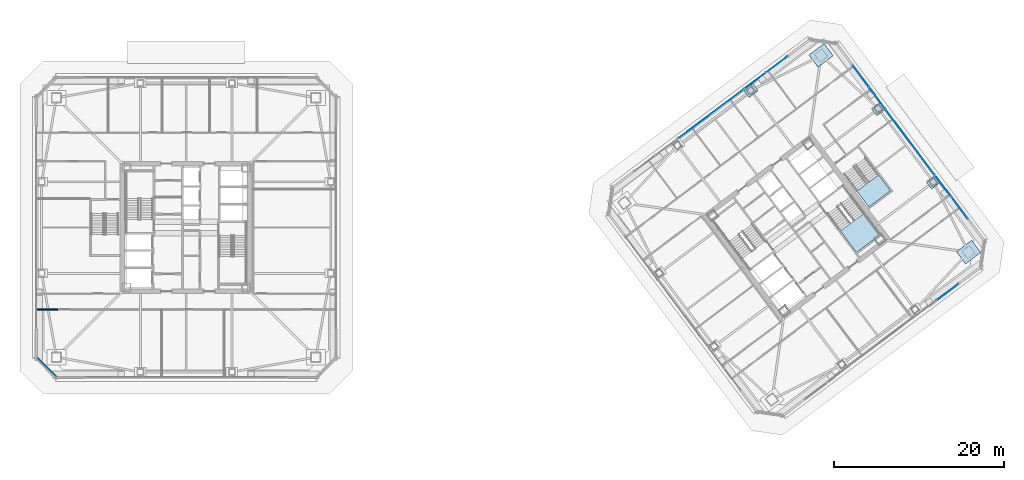
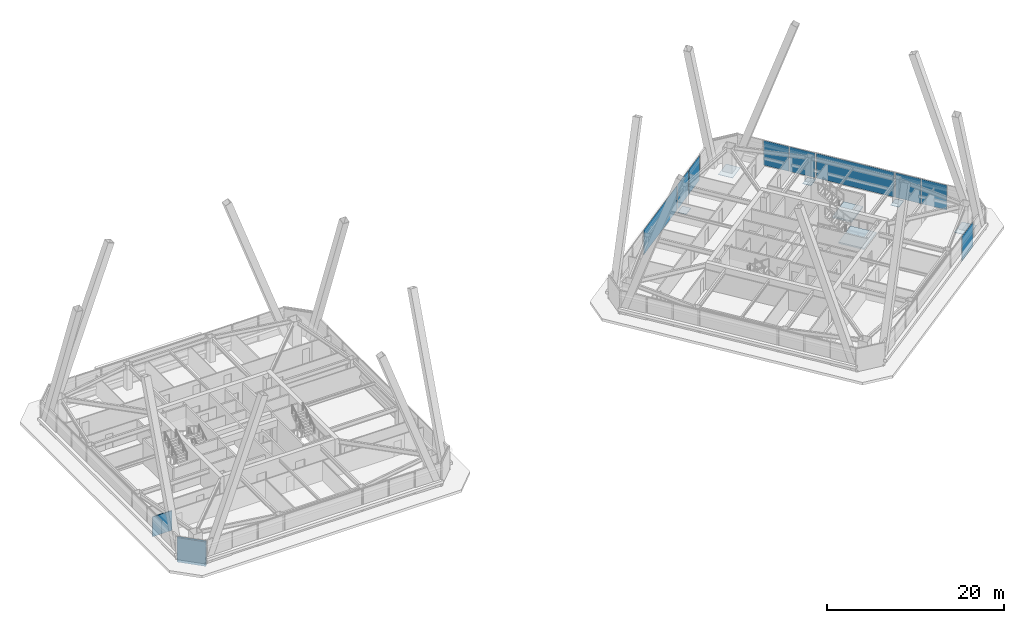
# One storey, part 54 of 65: 14 plates, 2 slabs, 2 walls, 8 elements without a shape of their own.
"""IFC4 building model written with IfcOpenShell, lengths in metres."""

from ifc_helpers import new_model, si_unit, direction, frame, frame_2d, origin, origin_2d, place, context, subcontext, project, spatial, polyline, rectangle, outline, extrude, material, layer, layer_set, type_object, element, aggregate, save


model = new_model("IFC4")

# Units and contexts
model_context = context("Model", 3, precision=1e-05, world=origin(), true_north=direction((0.0, 1.0)))
body_context = subcontext(model_context, "Body", "Model", "MODEL_VIEW")
ifc_project = project(units=[si_unit("LENGTHUNIT", "METRE"), si_unit("AREAUNIT", "SQUARE_METRE"), si_unit("VOLUMEUNIT", "CUBIC_METRE"), si_unit("PLANEANGLEUNIT", "RADIAN"), si_unit("MASSUNIT", "GRAM", prefix="KILO")], contexts=[model_context])

# Site, building, storey
site_placement = place(None, origin())
site = spatial("IfcSite", under=ifc_project, at=site_placement, CompositionType="ELEMENT")
building_placement = place(site_placement, origin())
building = spatial("IfcBuilding", under=site, at=building_placement, Name="Tashvorn Skyway Center", CompositionType="ELEMENT")
storey_placement = place(building_placement, frame((0.0, 0.0, 157.0)))
storey = spatial("IfcBuildingStorey", under=building, at=storey_placement, Name="L42", CompositionType="ELEMENT", Elevation=157.0)

# Curtain wall, plate
ifc_material_1 = material(Name="Thermally broken bronze-anodized aluminium 6063-T6", Category="aluminium")
curtain_wall_type = type_object("IfcCurtainWallType", Name="CW-CW-Z4", PredefinedType="NOTDEFINED", material=ifc_material_1)
curtain_wall_1_placement = place(storey_placement, origin())
curtain_wall_1 = element("IfcCurtainWall", 1, at=curtain_wall_1_placement, inside=storey, type_object=curtain_wall_type, Name="Tower 2 L42 South Unitised Curtain Wall Glazing Group 1", PredefinedType="NOTDEFINED")
ifc_material_2 = material(Name="Low-E solar-control double insulating safety glass", Category="glass")
ifc_layer_1 = layer(ifc_material_2, 0.035888671875)
ifc_layer_set_1 = layer_set([ifc_layer_1], Name="Low-E solar-control double insulating safety glass")
plate_type_1 = type_object("IfcPlateType", Name="CWP-CW-Z4", PredefinedType="CURTAIN_PANEL", material=ifc_layer_set_1)
plate_1_placement = place(storey_placement, frame((131.830078125, 24.3974609375, 0.06982421875), z_axis=(0.0, 0.0, 1.0), x_axis=(-0.799999999998, -0.600000000002, 0.0)))
plate_1 = element("IfcPlate", 2, at=plate_1_placement, type_object=plate_type_1, Name="CW-Z4 panel 1.1", PredefinedType="CURTAIN_PANEL", context=body_context, shape_type="SweptSolid", body=[
    extrude(rectangle(XDim=3.135009765625, YDim=0.035888671875, at=origin_2d()), origin(), (0.0, 0.0, 1.0), 3.409912109375),
])
aggregate(curtain_wall_1, [plate_1])

curtain_wall_2_placement = place(storey_placement, origin())
curtain_wall_2 = element("IfcCurtainWall", 3, at=curtain_wall_2_placement, inside=storey, type_object=curtain_wall_type, Name="Tower 2 L42 North Unitised Curtain Wall Glazing Group 2", PredefinedType="NOTDEFINED")
plate_2_placement = place(storey_placement, frame((103.931884765625, 45.424072265625, 0.06982421875), z_axis=(0.0, 0.0, 1.0), x_axis=(0.799999999998, 0.600000000002, 0.0)))
plate_2 = element("IfcPlate", 4, at=plate_2_placement, type_object=plate_type_1, Name="CW-Z4 panel 1.1", PredefinedType="CURTAIN_PANEL", context=body_context, shape_type="SweptSolid", body=[
    extrude(rectangle(XDim=9.580078125, YDim=0.035888671875, at=origin_2d()), origin(), (0.0, 0.0, 1.0), 3.409912109375),
])
aggregate(curtain_wall_2, [plate_2])

# Curtain wall, plates
curtain_wall_3_placement = place(storey_placement, origin())
curtain_wall_3 = element("IfcCurtainWall", 5, at=curtain_wall_3_placement, inside=storey, type_object=curtain_wall_type, Name="Tower 2 L42 North Unitised Curtain Wall Glazing Group 3", PredefinedType="NOTDEFINED")
plate_3_placement = place(storey_placement, frame((109.1298828125, 49.322509765625, 0.06982421875), z_axis=(0.0, 0.0, 1.0), x_axis=(0.799999999998, 0.600000000002, 0.0)))
plate_3 = element("IfcPlate", 6, at=plate_3_placement, type_object=plate_type_1, Name="CW-Z4 panel 1.1", PredefinedType="CURTAIN_PANEL", context=body_context, shape_type="SweptSolid", body=[
    extrude(rectangle(XDim=3.135009765625, YDim=0.035888671875, at=origin_2d()), origin(), (0.0, 0.0, 1.0), 3.409912109375),
])
plate_4_placement = place(storey_placement, frame((111.694091796875, 51.24560546875, 0.06982421875), z_axis=(0.0, 0.0, 1.0), x_axis=(0.799999999998, 0.600000000002, 0.0)))
plate_4 = element("IfcPlate", 7, at=plate_4_placement, type_object=plate_type_1, Name="CW-Z4 panel 2.1", PredefinedType="CURTAIN_PANEL", context=body_context, shape_type="SweptSolid", body=[
    extrude(rectangle(XDim=3.135009765625, YDim=0.035888671875, at=origin_2d()), origin(), (0.0, 0.0, 1.0), 3.409912109375),
])
aggregate(curtain_wall_3, [plate_3, plate_4])

curtain_wall_4_placement = place(storey_placement, origin())
curtain_wall_4 = element("IfcCurtainWall", 8, at=curtain_wall_4_placement, inside=storey, type_object=curtain_wall_type, Name="Tower 2 L42 East Unitised Curtain Wall Glazing Group 1", PredefinedType="NOTDEFINED")
plate_5_placement = place(storey_placement, frame((121.6025390625, 49.830078125, 0.06982421875), z_axis=(0.0, 0.0, 1.0), x_axis=(0.600000000002, -0.799999999998, 0.0)))
plate_5 = element("IfcPlate", 9, at=plate_5_placement, type_object=plate_type_1, Name="CW-Z4 panel 1.1", PredefinedType="CURTAIN_PANEL", context=body_context, shape_type="SweptSolid", body=[
    extrude(rectangle(XDim=3.135009765625, YDim=0.035888671875, at=origin_2d()), origin(), (0.0, 0.0, 1.0), 3.409912109375),
])
plate_6_placement = place(storey_placement, frame((123.525390625, 47.26611328125, 0.06982421875), z_axis=(0.0, 0.0, 1.0), x_axis=(0.600000000002, -0.799999999998, 0.0)))
plate_6 = element("IfcPlate", 10, at=plate_6_placement, type_object=plate_type_1, Name="CW-Z4 panel 2.1", PredefinedType="CURTAIN_PANEL", context=body_context, shape_type="SweptSolid", body=[
    extrude(rectangle(XDim=3.135009765625, YDim=0.035888671875, at=origin_2d()), origin(), (0.0, 0.0, 1.0), 3.409912109375),
])
aggregate(curtain_wall_4, [plate_5, plate_6])

# Curtain wall, plate
curtain_wall_5_placement = place(storey_placement, origin())
curtain_wall_5 = element("IfcCurtainWall", 11, at=curtain_wall_5_placement, inside=storey, type_object=curtain_wall_type, Name="Tower 2 L42 East Unitised Curtain Wall Glazing Group 2", PredefinedType="NOTDEFINED")
plate_7_placement = place(storey_placement, frame((127.424072265625, 42.068115234375, 0.06982421875), z_axis=(0.0, 0.0, 1.0), x_axis=(0.600000000002, -0.799999999998, 0.0)))
plate_7 = element("IfcPlate", 12, at=plate_7_placement, type_object=plate_type_1, Name="CW-Z4 panel 1.1", PredefinedType="CURTAIN_PANEL", context=body_context, shape_type="SweptSolid", body=[
    extrude(rectangle(XDim=9.580078125, YDim=0.035888671875, at=origin_2d()), origin(), (0.0, 0.0, 1.0), 3.409912109375),
])
aggregate(curtain_wall_5, [plate_7])

# Curtain wall, plates
curtain_wall_6_placement = place(storey_placement, origin())
curtain_wall_6 = element("IfcCurtainWall", 13, at=curtain_wall_6_placement, inside=storey, type_object=curtain_wall_type, Name="Tower 2 L42 East Unitised Curtain Wall Glazing Group 3", PredefinedType="NOTDEFINED")
plate_8_placement = place(storey_placement, frame((131.322509765625, 36.8701171875, 0.06982421875), z_axis=(0.0, 0.0, 1.0), x_axis=(0.600000000002, -0.799999999998, 0.0)))
plate_8 = element("IfcPlate", 14, at=plate_8_placement, type_object=plate_type_1, Name="CW-Z4 panel 1.1", PredefinedType="CURTAIN_PANEL", context=body_context, shape_type="SweptSolid", body=[
    extrude(rectangle(XDim=3.135009765625, YDim=0.035888671875, at=origin_2d()), origin(), (0.0, 0.0, 1.0), 3.409912109375),
])
plate_9_placement = place(storey_placement, frame((133.24560546875, 34.305908203125, 0.06982421875), z_axis=(0.0, 0.0, 1.0), x_axis=(0.600000000002, -0.799999999998, 0.0)))
plate_9 = element("IfcPlate", 15, at=plate_9_placement, type_object=plate_type_1, Name="CW-Z4 panel 2.1", PredefinedType="CURTAIN_PANEL", context=body_context, shape_type="SweptSolid", body=[
    extrude(rectangle(XDim=3.135009765625, YDim=0.035888671875, at=origin_2d()), origin(), (0.0, 0.0, 1.0), 3.409912109375),
])
aggregate(curtain_wall_6, [plate_8, plate_9])

# Plates
ifc_material_3 = material(Name="Steel ASTM A572 Grade 50", Category="steel")
ifc_layer_2 = layer(ifc_material_3, 0.050048828125)
ifc_layer_set_2 = layer_set([ifc_layer_2], Name="Steel ASTM A572 Grade 50")
plate_type_2 = type_object("IfcPlateType", Name="PLT-ENDCAP-1650", PredefinedType="USERDEFINED", material=ifc_layer_set_2)
for number, where, z_axis, x_axis, name in (
    (16, (134.300048828125, 29.10009765625, -0.21484375), (0.0, 0.0, 1.0), (0.799999996291, 0.600000004945, 0.0), "Tower 2 L42 MC-SE Setback Base End Plate"),
    (17, (116.89990234375, 52.300048828125, -0.21484375), (0.0, 0.0, 1.0), (0.799999996291, 0.600000004945, 0.0), "Tower 2 L42 MC-NE Setback Base End Plate"),
):
    element("IfcPlate", number, at=place(storey_placement, frame(where, z_axis=z_axis, x_axis=x_axis)), inside=storey, type_object=plate_type_2, Name=name, ObjectType="END PLATE", PredefinedType="USERDEFINED", context=body_context, shape_type="SweptSolid", body=[
        extrude(rectangle(XDim=2.25, YDim=1.780029296875, at=origin_2d()), origin(), (0.0, 0.0, 1.0), 0.050048828125),
    ])
ifc_layer_3 = layer(ifc_material_3, 0.050048828125)
ifc_layer_set_3 = layer_set([ifc_layer_3], Name="Steel ASTM A572 Grade 50")
plate_type_3 = type_object("IfcPlateType", Name="PLT-ENDCAP-900", PredefinedType="USERDEFINED", material=ifc_layer_set_3)
for number, where, z_axis, x_axis, name in (
    (18, (130.159912109375, 37.3701171875, -0.21484375), (0.0, 0.0, 1.0), (0.799999996291, 0.600000004945, 0.0), "Tower 2 L42 FC-E1 Setback Base End Plate"),
    (19, (123.679931640625, 46.010009765625, -0.21484375), (0.0, 0.0, 1.0), (0.799999996291, 0.600000004945, 0.0), "Tower 2 L42 FC-E2 Setback Base End Plate"),
    (20, (108.6298828125, 48.159912109375, -0.21484375), (0.0, 0.0, 1.0), (0.799999996291, 0.600000004945, 0.0), "Tower 2 L42 FC-N1 Setback Base End Plate"),
):
    element("IfcPlate", number, at=place(storey_placement, frame(where, z_axis=z_axis, x_axis=x_axis)), inside=storey, type_object=plate_type_3, Name=name, ObjectType="END PLATE", PredefinedType="USERDEFINED", context=body_context, shape_type="SweptSolid", body=[
        extrude(rectangle(XDim=1.35009765625, YDim=1.050048828125, at=origin_2d()), origin(), (0.0, 0.0, 1.0), 0.050048828125),
    ])

# Stair, slab
ifc_material_4 = material(Name="Concrete C40/50", Category="concrete")
stair_type = type_object("IfcStairType", Name="STAIR-CORE-1500", PredefinedType="HALF_TURN_STAIR", material=ifc_material_4)
stair_1_placement = place(storey_placement, origin())
stair_1 = element("IfcStair", 21, at=stair_1_placement, inside=storey, type_object=stair_type, Name="L42 Tower 2 Exit Stair 2", PredefinedType="HALF_TURN_STAIR")
ifc_layer_4 = layer(ifc_material_4, 0.199951171875)
ifc_layer_set_4 = layer_set([ifc_layer_4], Name="Concrete C40/50")
slab_type = type_object("IfcSlabType", Name="SLAB-LAND-200", PredefinedType="LANDING", material=ifc_layer_set_4)
slab_1_placement = place(storey_placement, frame((0.0, 0.0, 1.574951171875)))
slab_1 = element("IfcSlab", 22, at=slab_1_placement, type_object=slab_type, Name="ST-T2-2 landing 1", PredefinedType="LANDING", context=body_context, shape_type="SweptSolid", body=[
    extrude(outline(polyline([(119.17919921875, 31.594482421875), (121.080078125, 29.06005859375), (123.864013671875, 31.14794921875), (121.963134765625, 33.682373046875), (119.17919921875, 31.594482421875)])), origin(), (0.0, 0.0, 1.0), 0.199951171875),
])
aggregate(stair_1, [slab_1])

stair_2_placement = place(storey_placement, origin())
stair_2 = element("IfcStair", 23, at=stair_2_placement, inside=storey, type_object=stair_type, Name="L42 Tower 2 Exit Stair 3", PredefinedType="HALF_TURN_STAIR")
slab_2_placement = place(storey_placement, frame((0.0, 0.0, 1.574951171875)))
slab_2 = element("IfcSlab", 24, at=slab_2_placement, type_object=slab_type, Name="ST-T2-3 landing 1", PredefinedType="LANDING", context=body_context, shape_type="SweptSolid", body=[
    extrude(outline(polyline([(121.123291015625, 36.302490234375), (122.5439453125, 34.407958984375), (125.10400390625, 36.327880859375), (123.68310546875, 38.222412109375), (121.123291015625, 36.302490234375)])), origin(), (0.0, 0.0, 1.0), 0.199951171875),
])
aggregate(stair_2, [slab_2])

# Walls
ifc_material_5 = material(Name="Precast concrete C40/50", Category="concrete")
ifc_layer_5 = layer(ifc_material_5, 0.280029296875)
ifc_layer_set_5 = layer_set([ifc_layer_5], Name="Precast concrete C40/50")
wall_type_1 = type_object("IfcWallType", Name="WALL-EXT-280", PredefinedType="SOLIDWALL", material=ifc_layer_set_5)
wall_1_placement = place(storey_placement, frame((26.699951171875, 14.300048828125, 0.0), z_axis=(0.0, 0.0, 1.0), x_axis=(-0.707106781187, 0.707106781187, 0.0)))
element("IfcWall", 25, at=wall_1_placement, inside=storey, type_object=wall_type_1, Name="Tower 1 L42 SW Precast Chamfer Wall", PredefinedType="SOLIDWALL", context=body_context, shape_type="SweptSolid", body=[
    extrude(rectangle(XDim=3.39404296875, YDim=0.280029296875, at=frame_2d((1.697021484375, 0.0))), origin(), (0.0, 0.0, 1.0), 3.3701171875),
])
ifc_material_6 = material(Name="Gypsum board on cold-formed steel stud framing", Category="steel")
ifc_layer_6 = layer(ifc_material_6, 0.135009765625)
ifc_layer_set_6 = layer_set([ifc_layer_6], Name="Gypsum board on cold-formed steel stud framing")
wall_type_2 = type_object("IfcWallType", Name="WALL-PART-135", PredefinedType="PARTITIONING", material=ifc_layer_set_6)
wall_2_placement = place(storey_placement, frame((24.320068359375, 22.330078125, 0.0), z_axis=(0.0, 0.0, 1.0), x_axis=(1.0, 0.0, 0.0)))
element("IfcWall", 26, at=wall_2_placement, inside=storey, type_object=wall_type_2, Name="Tower 1 L42 South-West Suite North Wall", PredefinedType="PARTITIONING", context=body_context, shape_type="SweptSolid", body=[
    extrude(rectangle(XDim=2.530029296875, YDim=0.135009765625, at=frame_2d((1.26513671875, 0.0))), origin(), (0.0, 0.0, 1.0), 2.722900390625),
])

save(model, "model.ifc")
